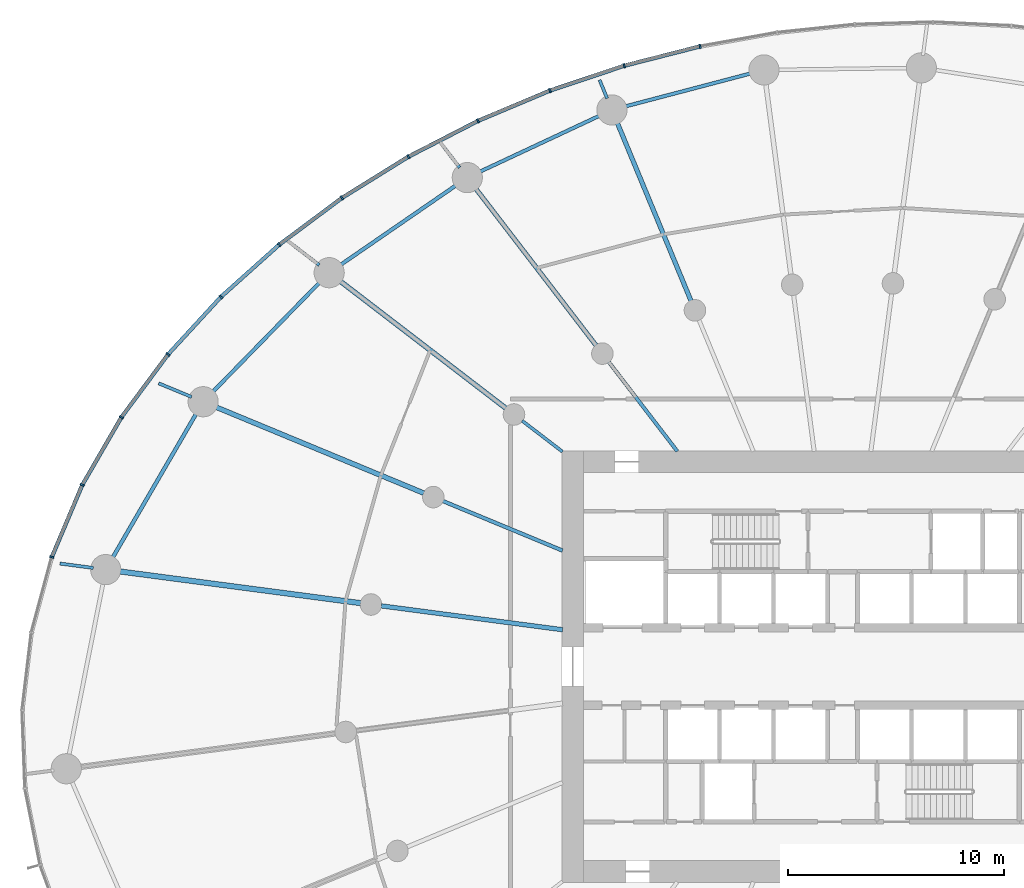
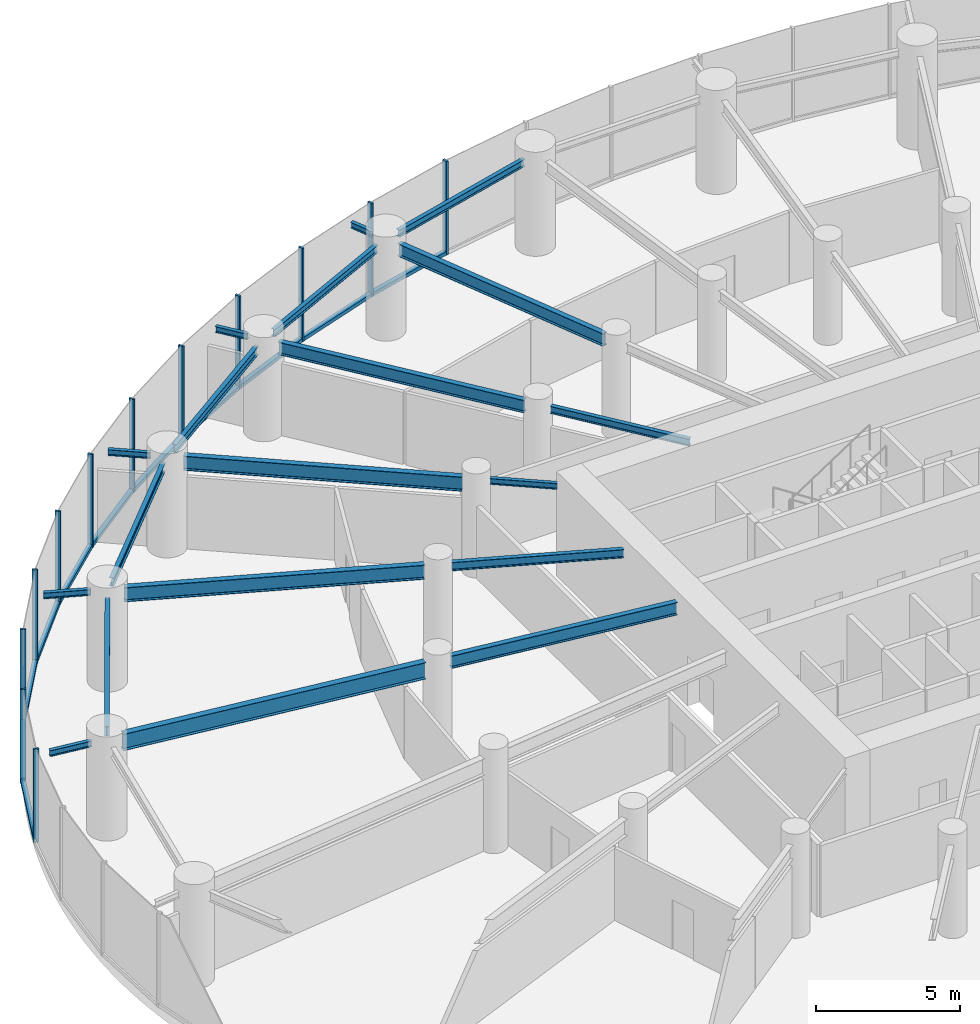
# One storey, part 6 of 19: 23 members, 19 beams, 3 elements without a shape of their own.
"""IFC4 building model written with IfcOpenShell, lengths in metres."""

from ifc_helpers import new_model, si_unit, direction, frame, origin, origin_2d, place, context, subcontext, project, spatial, rectangle, i_section, extrude, source, transform, mapped, material, layer, layer_set, material_profile, profile_set, type_object, element, aggregate, save


model = new_model("IFC4")

# Units and contexts
model_context = context("Model", 3, precision=1e-05, world=origin(), true_north=direction((0.0, 1.0)))
body_context = subcontext(model_context, "Body", "Model", "MODEL_VIEW")
ifc_project = project(units=[si_unit("LENGTHUNIT", "METRE"), si_unit("AREAUNIT", "SQUARE_METRE"), si_unit("VOLUMEUNIT", "CUBIC_METRE"), si_unit("PLANEANGLEUNIT", "RADIAN"), si_unit("MASSUNIT", "GRAM", prefix="KILO")], contexts=[model_context])

# Site, building, storey
site_placement = place(None, origin())
site = spatial("IfcSite", under=ifc_project, at=site_placement, CompositionType="ELEMENT")
building_placement = place(site_placement, origin())
building = spatial("IfcBuilding", under=site, at=building_placement, Name="Spindrift Exchange Tower", CompositionType="ELEMENT")
storey_placement = place(building_placement, frame((0.0, 0.0, 57.800048828125)))
storey = spatial("IfcBuildingStorey", under=building, at=storey_placement, Name="L13", CompositionType="ELEMENT", Elevation=57.800048828125)

# Beams
ifc_material_1 = material(Name="Steel Grade 300", Category="steel")
ifc_material_profile_1 = material_profile(ifc_material_1, i_section(OverallWidth=0.208984375, OverallDepth=0.532958984375, WebThickness=0.01025390625, FlangeThickness=0.015625, FilletRadius=0.013916015625, at=origin_2d()), Name="530UB92.4")
ifc_profile_set_1 = profile_set([ifc_material_profile_1], Name="Steel Grade 300")
beam_type_1 = type_object("IfcBeamType", Name="Floor Beam 530UB92.4 Steel Grade 300", PredefinedType="BEAM", material=ifc_profile_set_1)
shared_shape_1 = source(origin(), body_context, "Body", "SweptSolid", [
    extrude(i_section(OverallWidth=0.208984375, OverallDepth=0.532958984375, WebThickness=0.01025390625, FlangeThickness=0.015625, FilletRadius=0.013916015625, at=origin_2d()), origin(), (0.0, 0.0, 1.0), 8.99658203125),
])
beam_1_placement = place(storey_placement, frame((44.974609375, 64.9609375, 3.683349609375), z_axis=(-0.382685731718, 0.923878580085, 0.0), x_axis=(-0.923878580085, -0.382685731718, 0.0)))
element("IfcBeam", 1, at=beam_1_placement, inside=storey, type_object=beam_type_1, Name="L13 radial beam R08B", PredefinedType="BEAM", context=body_context, shape_type="MappedRepresentation", body=[
    mapped(shared_shape_1, transform((0.0, 0.0, 0.0), scale=1.0)),
])
ifc_material_profile_2 = material_profile(ifc_material_1, i_section(OverallWidth=0.1650390625, OverallDepth=0.303955078125, WebThickness=0.006103515625, FlangeThickness=0.01025390625, FilletRadius=0.011474609375, at=origin_2d()), Name="310UB40.4")
ifc_profile_set_2 = profile_set([ifc_material_profile_2], Name="Steel Grade 300")
beam_type_2 = type_object("IfcBeamType", Name="Floor Beam 310UB40.4 Steel Grade 300", PredefinedType="BEAM", material=ifc_profile_set_2)
shared_shape_2 = source(origin(), body_context, "Body", "SweptSolid", [
    extrude(i_section(OverallWidth=0.1650390625, OverallDepth=0.303955078125, WebThickness=0.006103515625, FlangeThickness=0.01025390625, FilletRadius=0.011474609375, at=origin_2d()), origin(), (0.0, 0.0, 1.0), 5.224609375),
])
beam_2_placement = place(storey_placement, frame((44.3388671875, 57.984130859375, 3.7978515625), z_axis=(-0.608741499316, 0.793368632485, 0.0), x_axis=(-0.793368632485, -0.608741499316, 0.0)))
element("IfcBeam", 2, at=beam_2_placement, inside=storey, type_object=beam_type_2, Name="L13 radial beam R09A", PredefinedType="BEAM", context=body_context, shape_type="MappedRepresentation", body=[
    mapped(shared_shape_2, transform((0.0, 0.0, 0.0), scale=1.0)),
])
shared_shape_3 = source(origin(), body_context, "Body", "SweptSolid", [
    extrude(i_section(OverallWidth=0.208984375, OverallDepth=0.532958984375, WebThickness=0.01025390625, FlangeThickness=0.015625, FilletRadius=0.013916015625, at=origin_2d()), origin(), (0.0, 0.0, 1.0), 9.227783203125),
])
beam_3_placement = place(storey_placement, frame((40.573974609375, 62.890625, 3.683349609375), z_axis=(-0.608747534474, 0.79336400175, 0.0), x_axis=(-0.79336400175, -0.608747534474, 0.0)))
element("IfcBeam", 3, at=beam_3_placement, inside=storey, type_object=beam_type_1, Name="L13 radial beam R09B", PredefinedType="BEAM", context=body_context, shape_type="MappedRepresentation", body=[
    mapped(shared_shape_3, transform((0.0, 0.0, 0.0), scale=1.0)),
])
ifc_material_profile_3 = material_profile(ifc_material_1, i_section(OverallWidth=0.14599609375, OverallDepth=0.251953125, WebThickness=0.006103515625, FlangeThickness=0.008544921875, FilletRadius=0.011962890625, at=origin_2d()), Name="250UB31.4")
ifc_profile_set_3 = profile_set([ifc_material_profile_3], Name="Steel Grade 300")
beam_type_3 = type_object("IfcBeamType", Name="Floor Beam 250UB31.4 Steel Grade 300", PredefinedType="BEAM", material=ifc_profile_set_3)
shared_shape_4 = source(origin(), body_context, "Body", "SweptSolid", [
    extrude(i_section(OverallWidth=0.14599609375, OverallDepth=0.251953125, WebThickness=0.006103515625, FlangeThickness=0.008544921875, FilletRadius=0.011962890625, at=origin_2d()), origin(), (0.0, 0.0, 1.0), 2.353759765625),
])
beam_4_placement = place(storey_placement, frame((39.015869140625, 57.963134765625, 3.823974609375), z_axis=(-0.793367573265, 0.608742879787, 0.0), x_axis=(-0.608742879787, -0.793367573265, 0.0)))
element("IfcBeam", 4, at=beam_4_placement, inside=storey, type_object=beam_type_3, Name="L13 radial beam R10A", PredefinedType="BEAM", context=body_context, shape_type="MappedRepresentation", body=[
    mapped(shared_shape_4, transform((0.0, 0.0, 0.0), scale=1.0)),
])
ifc_material_profile_4 = material_profile(ifc_material_1, i_section(OverallWidth=0.22802734375, OverallDepth=0.60693359375, WebThickness=0.01123046875, FlangeThickness=0.017333984375, FilletRadius=0.013916015625, at=origin_2d()), Name="610UB113")
ifc_profile_set_4 = profile_set([ifc_material_profile_4], Name="Steel Grade 300")
beam_type_4 = type_object("IfcBeamType", Name="Floor Beam 610UB113 Steel Grade 300", PredefinedType="BEAM", material=ifc_profile_set_4)
shared_shape_5 = source(origin(), body_context, "Body", "SweptSolid", [
    extrude(i_section(OverallWidth=0.22802734375, OverallDepth=0.60693359375, WebThickness=0.01123046875, FlangeThickness=0.017333984375, FilletRadius=0.013916015625, at=origin_2d()), origin(), (0.0, 0.0, 1.0), 9.73974609375),
])
beam_5_placement = place(storey_placement, frame((36.38671875, 59.98046875, 3.646484375), z_axis=(-0.793352119621, 0.608763019814, 0.0), x_axis=(-0.608763019814, -0.793352119621, 0.0)))
element("IfcBeam", 5, at=beam_5_placement, inside=storey, type_object=beam_type_4, Name="L13 radial beam R10B", PredefinedType="BEAM", context=body_context, shape_type="MappedRepresentation", body=[
    mapped(shared_shape_5, transform((0.0, 0.0, 0.0), scale=1.0)),
])
ifc_material_profile_5 = material_profile(ifc_material_1, i_section(OverallWidth=0.172119140625, OverallDepth=0.35888671875, WebThickness=0.008056640625, FlangeThickness=0.012939453125, FilletRadius=0.013916015625, at=origin_2d()), Name="360UB56.7")
ifc_profile_set_5 = profile_set([ifc_material_profile_5], Name="Steel Grade 300")
beam_type_5 = type_object("IfcBeamType", Name="Floor Beam 360UB56.7 Steel Grade 300", PredefinedType="BEAM", material=ifc_profile_set_5)
shared_shape_6 = source(origin(), body_context, "Body", "SweptSolid", [
    extrude(i_section(OverallWidth=0.172119140625, OverallDepth=0.35888671875, WebThickness=0.008056640625, FlangeThickness=0.012939453125, FilletRadius=0.013916015625, at=origin_2d()), origin(), (0.0, 0.0, 1.0), 6.004638671875),
])
beam_6_placement = place(storey_placement, frame((39.0185546875, 53.377197265625, 3.7705078125), z_axis=(-0.923882044911, 0.38267736684, 0.0), x_axis=(-0.38267736684, -0.923882044911, 0.0)))
element("IfcBeam", 6, at=beam_6_placement, inside=storey, type_object=beam_type_5, Name="L13 radial beam R11A", PredefinedType="BEAM", context=body_context, shape_type="MappedRepresentation", body=[
    mapped(shared_shape_6, transform((0.0, 0.0, 0.0), scale=1.0)),
])
shared_shape_7 = source(origin(), body_context, "Body", "SweptSolid", [
    extrude(i_section(OverallWidth=0.22802734375, OverallDepth=0.60693359375, WebThickness=0.01123046875, FlangeThickness=0.017333984375, FilletRadius=0.013916015625, at=origin_2d()), origin(), (0.0, 0.0, 1.0), 10.4912109375),
])
beam_7_placement = place(storey_placement, frame((32.583984375, 56.04248046875, 3.646484375), z_axis=(-0.923885231151, 0.382669674342, 0.0), x_axis=(-0.382669674342, -0.923885231151, 0.0)))
element("IfcBeam", 7, at=beam_7_placement, inside=storey, type_object=beam_type_4, Name="L13 radial beam R11B", PredefinedType="BEAM", context=body_context, shape_type="MappedRepresentation", body=[
    mapped(shared_shape_7, transform((0.0, 0.0, 0.0), scale=1.0)),
])
shared_shape_8 = source(origin(), body_context, "Body", "SweptSolid", [
    extrude(i_section(OverallWidth=0.208984375, OverallDepth=0.532958984375, WebThickness=0.01025390625, FlangeThickness=0.015625, FilletRadius=0.013916015625, at=origin_2d()), origin(), (0.0, 0.0, 1.0), 8.4794921875),
])
beam_8_placement = place(storey_placement, frame((39.019775390625, 49.708984375, 3.683349609375), z_axis=(-0.991446551951, 0.13051335037, 0.0), x_axis=(-0.13051335037, -0.991446551951, 0.0)))
element("IfcBeam", 8, at=beam_8_placement, inside=storey, type_object=beam_type_1, Name="L13 radial beam R12A", PredefinedType="BEAM", context=body_context, shape_type="MappedRepresentation", body=[
    mapped(shared_shape_8, transform((0.0, 0.0, 0.0), scale=1.0)),
])
ifc_material_profile_6 = material_profile(ifc_material_1, i_section(OverallWidth=0.25, OverallDepth=0.699951171875, WebThickness=0.008056640625, FlangeThickness=0.011962890625, at=origin_2d()), Name="700WB115")
ifc_profile_set_6 = profile_set([ifc_material_profile_6], Name="Steel Grade 300")
beam_type_6 = type_object("IfcBeamType", Name="Floor Beam 700WB115 Steel Grade 300", PredefinedType="BEAM", material=ifc_profile_set_6)
shared_shape_9 = source(origin(), body_context, "Body", "SweptSolid", [
    extrude(i_section(OverallWidth=0.25, OverallDepth=0.699951171875, WebThickness=0.008056640625, FlangeThickness=0.011962890625, at=origin_2d()), origin(), (0.0, 0.0, 1.0), 11.34423828125),
])
beam_9_placement = place(storey_placement, frame((29.660888671875, 50.94091796875, 3.599853515625), z_axis=(-0.991444770187, 0.130526884848, 0.0), x_axis=(-0.130526884848, -0.991444770187, 0.0)))
element("IfcBeam", 9, at=beam_9_placement, inside=storey, type_object=beam_type_6, Name="L13 radial beam R12B", PredefinedType="BEAM", context=body_context, shape_type="MappedRepresentation", body=[
    mapped(shared_shape_9, transform((0.0, 0.0, 0.0), scale=1.0)),
])
ifc_material_profile_7 = material_profile(ifc_material_1, i_section(OverallWidth=0.1650390625, OverallDepth=0.303955078125, WebThickness=0.006103515625, FlangeThickness=0.01025390625, FilletRadius=0.011474609375, at=origin_2d()), Name="310UB40.4")
ifc_profile_set_7 = profile_set([ifc_material_profile_7], Name="Steel Grade 300")
beam_type_7 = type_object("IfcBeamType", Name="Edge Beam 310UB40.4 Steel Grade 300", PredefinedType="SPANDREL", material=ifc_profile_set_7)
shared_shape_10 = source(origin(), body_context, "Body", "SweptSolid", [
    extrude(i_section(OverallWidth=0.1650390625, OverallDepth=0.303955078125, WebThickness=0.006103515625, FlangeThickness=0.01025390625, FilletRadius=0.011474609375, at=origin_2d()), origin(), (0.0, 0.0, 1.0), 6.128173828125),
])
beam_10_placement = place(storey_placement, frame((47.79736328125, 75.513916015625, 3.7978515625), z_axis=(-0.967147261855, -0.254216785216, 0.0), x_axis=(0.254216785216, -0.967147261855, 0.0)))
element("IfcBeam", 10, at=beam_10_placement, inside=storey, type_object=beam_type_7, Name="L13 edge beam E07", PredefinedType="SPANDREL", context=body_context, shape_type="MappedRepresentation", body=[
    mapped(shared_shape_10, transform((0.0, 0.0, 0.0), scale=1.0)),
])
shared_shape_11 = source(origin(), body_context, "Body", "SweptSolid", [
    extrude(i_section(OverallWidth=0.1650390625, OverallDepth=0.303955078125, WebThickness=0.006103515625, FlangeThickness=0.01025390625, FilletRadius=0.011474609375, at=origin_2d()), origin(), (0.0, 0.0, 1.0), 6.243408203125),
])
beam_11_placement = place(storey_placement, frame((40.7841796875, 73.56298828125, 3.7978515625), z_axis=(-0.905791146607, -0.423724437257, 0.0), x_axis=(0.423724437257, -0.905791146607, 0.0)))
element("IfcBeam", 11, at=beam_11_placement, inside=storey, type_object=beam_type_7, Name="L13 edge beam E08", PredefinedType="SPANDREL", context=body_context, shape_type="MappedRepresentation", body=[
    mapped(shared_shape_11, transform((0.0, 0.0, 0.0), scale=1.0)),
])
ifc_material_profile_8 = material_profile(ifc_material_1, i_section(OverallWidth=0.172119140625, OverallDepth=0.35888671875, WebThickness=0.008056640625, FlangeThickness=0.012939453125, FilletRadius=0.013916015625, at=origin_2d()), Name="360UB56.7")
ifc_profile_set_8 = profile_set([ifc_material_profile_8], Name="Steel Grade 300")
beam_type_8 = type_object("IfcBeamType", Name="Edge Beam 360UB56.7 Steel Grade 300", PredefinedType="SPANDREL", material=ifc_profile_set_8)
shared_shape_12 = source(origin(), body_context, "Body", "SweptSolid", [
    extrude(i_section(OverallWidth=0.172119140625, OverallDepth=0.35888671875, WebThickness=0.008056640625, FlangeThickness=0.012939453125, FilletRadius=0.013916015625, at=origin_2d()), origin(), (0.0, 0.0, 1.0), 6.614990234375),
])
beam_12_placement = place(storey_placement, frame((34.125732421875, 70.3427734375, 3.7705078125), z_axis=(-0.823690708835, -0.567039342708, 0.0), x_axis=(0.567039342708, -0.823690708835, 0.0)))
element("IfcBeam", 12, at=beam_12_placement, inside=storey, type_object=beam_type_8, Name="L13 edge beam E09", PredefinedType="SPANDREL", context=body_context, shape_type="MappedRepresentation", body=[
    mapped(shared_shape_12, transform((0.0, 0.0, 0.0), scale=1.0)),
])
shared_shape_13 = source(origin(), body_context, "Body", "SweptSolid", [
    extrude(i_section(OverallWidth=0.172119140625, OverallDepth=0.35888671875, WebThickness=0.008056640625, FlangeThickness=0.012939453125, FilletRadius=0.013916015625, at=origin_2d()), origin(), (0.0, 0.0, 1.0), 7.2041015625),
])
beam_13_placement = place(storey_placement, frame((27.794189453125, 65.847900390625, 3.7705078125), z_axis=(-0.698703626006, -0.715411240481, 0.0), x_axis=(0.715411240481, -0.698703626006, 0.0)))
element("IfcBeam", 13, at=beam_13_placement, inside=storey, type_object=beam_type_8, Name="L13 edge beam E10", PredefinedType="SPANDREL", context=body_context, shape_type="MappedRepresentation", body=[
    mapped(shared_shape_13, transform((0.0, 0.0, 0.0), scale=1.0)),
])
ifc_material_profile_9 = material_profile(ifc_material_1, i_section(OverallWidth=0.177978515625, OverallDepth=0.406005859375, WebThickness=0.0078125, FlangeThickness=0.0126953125, FilletRadius=0.013916015625, at=origin_2d()), Name="410UB59.7")
ifc_profile_set_9 = profile_set([ifc_material_profile_9], Name="Steel Grade 300")
beam_type_9 = type_object("IfcBeamType", Name="Edge Beam 410UB59.7 Steel Grade 300", PredefinedType="SPANDREL", material=ifc_profile_set_9)
shared_shape_14 = source(origin(), body_context, "Body", "SweptSolid", [
    extrude(i_section(OverallWidth=0.177978515625, OverallDepth=0.406005859375, WebThickness=0.0078125, FlangeThickness=0.0126953125, FilletRadius=0.013916015625, at=origin_2d()), origin(), (0.0, 0.0, 1.0), 7.837646484375),
])
beam_14_placement = place(storey_placement, frame((22.064208984375, 59.777587890625, 3.7470703125), z_axis=(-0.50198145655, -0.864878382942, 0.0), x_axis=(0.864878382942, -0.50198145655, 0.0)))
element("IfcBeam", 14, at=beam_14_placement, inside=storey, type_object=beam_type_9, Name="L13 edge beam E11", PredefinedType="SPANDREL", context=body_context, shape_type="MappedRepresentation", body=[
    mapped(shared_shape_14, transform((0.0, 0.0, 0.0), scale=1.0)),
])
ifc_material_profile_10 = material_profile(ifc_material_1, i_section(OverallWidth=0.14599609375, OverallDepth=0.251953125, WebThickness=0.006103515625, FlangeThickness=0.008544921875, FilletRadius=0.011962890625, at=origin_2d()), Name="250UB31.4")
ifc_profile_set_10 = profile_set([ifc_material_profile_10], Name="Steel Grade 300")
beam_type_10 = type_object("IfcBeamType", Name="Cantilever Beam 250UB31.4 Steel Grade 300", PredefinedType="BEAM", material=ifc_profile_set_10)
shared_shape_15 = source(origin(), body_context, "Body", "SweptSolid", [
    extrude(i_section(OverallWidth=0.14599609375, OverallDepth=0.251953125, WebThickness=0.006103515625, FlangeThickness=0.008544921875, FilletRadius=0.011962890625, at=origin_2d()), origin(), (0.0, 0.0, 1.0), 0.92138671875),
])
beam_15_placement = place(storey_placement, frame((41.087890625, 74.344482421875, 3.823974609375), z_axis=(-0.382921262759, 0.923780984069, 0.0), x_axis=(-0.923780984069, -0.382921262759, 0.0)))
element("IfcBeam", 15, at=beam_15_placement, inside=storey, type_object=beam_type_10, Name="L13 cantilever beam R08T", PredefinedType="BEAM", context=body_context, shape_type="MappedRepresentation", body=[
    mapped(shared_shape_15, transform((0.0, 0.0, 0.0), scale=1.0)),
])
shared_shape_16 = source(origin(), body_context, "Body", "SweptSolid", [
    extrude(i_section(OverallWidth=0.14599609375, OverallDepth=0.251953125, WebThickness=0.006103515625, FlangeThickness=0.008544921875, FilletRadius=0.011962890625, at=origin_2d()), origin(), (0.0, 0.0, 1.0), 1.209716796875),
])
beam_16_placement = place(storey_placement, frame((34.250244140625, 71.1318359375, 3.823974609375), z_axis=(-0.608617930823, 0.793463429706, 0.0), x_axis=(-0.793463429706, -0.608617930823, 0.0)))
element("IfcBeam", 16, at=beam_16_placement, inside=storey, type_object=beam_type_10, Name="L13 cantilever beam R09T", PredefinedType="BEAM", context=body_context, shape_type="MappedRepresentation", body=[
    mapped(shared_shape_16, transform((0.0, 0.0, 0.0), scale=1.0)),
])
shared_shape_17 = source(origin(), body_context, "Body", "SweptSolid", [
    extrude(i_section(OverallWidth=0.14599609375, OverallDepth=0.251953125, WebThickness=0.006103515625, FlangeThickness=0.008544921875, FilletRadius=0.011962890625, at=origin_2d()), origin(), (0.0, 0.0, 1.0), 1.48291015625),
])
beam_17_placement = place(storey_placement, frame((27.7392578125, 66.615966796875, 3.823974609375), z_axis=(-0.793333363802, 0.608787461992, 0.0), x_axis=(-0.608787461992, -0.793333363802, 0.0)))
element("IfcBeam", 17, at=beam_17_placement, inside=storey, type_object=beam_type_10, Name="L13 cantilever beam R10T", PredefinedType="BEAM", context=body_context, shape_type="MappedRepresentation", body=[
    mapped(shared_shape_17, transform((0.0, 0.0, 0.0), scale=1.0)),
])
shared_shape_18 = source(origin(), body_context, "Body", "SweptSolid", [
    extrude(i_section(OverallWidth=0.14599609375, OverallDepth=0.251953125, WebThickness=0.006103515625, FlangeThickness=0.008544921875, FilletRadius=0.011962890625, at=origin_2d()), origin(), (0.0, 0.0, 1.0), 1.65185546875),
])
beam_18_placement = place(storey_placement, frame((21.819580078125, 60.501220703125, 3.823974609375), z_axis=(-0.923892542317, 0.382652022406, 0.0), x_axis=(-0.382652022406, -0.923892542317, 0.0)))
element("IfcBeam", 18, at=beam_18_placement, inside=storey, type_object=beam_type_10, Name="L13 cantilever beam R11T", PredefinedType="BEAM", context=body_context, shape_type="MappedRepresentation", body=[
    mapped(shared_shape_18, transform((0.0, 0.0, 0.0), scale=1.0)),
])
shared_shape_19 = source(origin(), body_context, "Body", "SweptSolid", [
    extrude(i_section(OverallWidth=0.14599609375, OverallDepth=0.251953125, WebThickness=0.006103515625, FlangeThickness=0.008544921875, FilletRadius=0.011962890625, at=origin_2d()), origin(), (0.0, 0.0, 1.0), 1.5634765625),
])
beam_19_placement = place(storey_placement, frame((17.263916015625, 52.572998046875, 3.823974609375), z_axis=(-0.991442066494, 0.130547419686, 0.0), x_axis=(-0.130547419686, -0.991442066494, 0.0)))
element("IfcBeam", 19, at=beam_19_placement, inside=storey, type_object=beam_type_10, Name="L13 cantilever beam R12T", PredefinedType="BEAM", context=body_context, shape_type="MappedRepresentation", body=[
    mapped(shared_shape_19, transform((0.0, 0.0, 0.0), scale=1.0)),
])

# Curtain wall, members
ifc_material_2 = material(Name="Fritted laminated glass with bronze frame", Category="glass")
ifc_layer = layer(ifc_material_2, 0.199951171875)
ifc_layer_set = layer_set([ifc_layer], Name="ZONE 1 BRONZE FRITTED WALL")
curtain_wall_type = type_object("IfcCurtainWallType", Name="ZONE 1 BRONZE FRITTED WALL", PredefinedType="NOTDEFINED", material=ifc_layer_set)
curtain_wall_1_placement = place(storey_placement, origin())
curtain_wall_1 = element("IfcCurtainWall", 20, at=curtain_wall_1_placement, inside=storey, type_object=curtain_wall_type, Name="L13 Zone 1 Bronze Fritted Wall run 3", PredefinedType="NOTDEFINED")
ifc_material_3 = material(Name="Bronze anodised aluminium", Category="aluminium")
ifc_material_profile_11 = material_profile(ifc_material_3, rectangle(XDim=0.080078125, YDim=0.199951171875, at=origin_2d()), Name="ZONE 1 BRONZE FRITTED WALL MULLION 80X200")
ifc_profile_set_11 = profile_set([ifc_material_profile_11], Name="Bronze anodised aluminium")
member_type_1 = type_object("IfcMemberType", Name="ZONE 1 BRONZE FRITTED WALL MULLION 80X200", PredefinedType="MULLION", material=ifc_profile_set_11)
shared_shape_20 = source(origin(), body_context, "Body", "SweptSolid", [
    extrude(rectangle(XDim=0.080078125, YDim=0.199951171875, at=origin_2d()), origin(), (0.0, 0.0, 1.0), 3.949951171875),
])
member_1_placement = place(storey_placement, frame((45.394287109375, 76.756591796875, 0.0), z_axis=(0.0, 0.0, 1.0), x_axis=(-0.977341283568, -0.211669590242, 0.0)))
member_1 = element("IfcMember", 21, at=member_1_placement, type_object=member_type_1, Name="L13 mullion CW-1.16", PredefinedType="MULLION", context=body_context, shape_type="MappedRepresentation", body=[
    mapped(shared_shape_20, transform((0.0, 0.0, 0.0), scale=1.0)),
])
member_2_placement = place(storey_placement, frame((41.87939453125, 75.8603515625, 0.0), z_axis=(0.0, 0.0, 1.0), x_axis=(-0.959254929578, -0.282541997021, 0.0)))
member_2 = element("IfcMember", 22, at=member_2_placement, type_object=member_type_1, Name="L13 mullion CW-1.17", PredefinedType="MULLION", context=body_context, shape_type="MappedRepresentation", body=[
    mapped(shared_shape_20, transform((0.0, 0.0, 0.0), scale=1.0)),
])
member_3_placement = place(storey_placement, frame((38.439697265625, 74.708251953125, 0.0), z_axis=(0.0, 0.0, 1.0), x_axis=(-0.935676106826, -0.352860061661, 0.0)))
member_3 = element("IfcMember", 23, at=member_3_placement, type_object=member_type_1, Name="L13 mullion CW-1.18", PredefinedType="MULLION", context=body_context, shape_type="MappedRepresentation", body=[
    mapped(shared_shape_20, transform((0.0, 0.0, 0.0), scale=1.0)),
])

curtain_wall_2_placement = place(storey_placement, origin())
curtain_wall_2 = element("IfcCurtainWall", 24, at=curtain_wall_2_placement, inside=storey, type_object=curtain_wall_type, Name="L13 Zone 1 Bronze Fritted Wall run 4", PredefinedType="NOTDEFINED")
member_4_placement = place(storey_placement, frame((35.095947265625, 73.30224609375, 0.0), z_axis=(0.0, 0.0, 1.0), x_axis=(-0.906163771472, -0.422926966829, 0.0)))
member_4 = element("IfcMember", 25, at=member_4_placement, type_object=member_type_1, Name="L13 mullion CW-1.19", PredefinedType="MULLION", context=body_context, shape_type="MappedRepresentation", body=[
    mapped(shared_shape_20, transform((0.0, 0.0, 0.0), scale=1.0)),
])
member_5_placement = place(storey_placement, frame((31.87060546875, 71.642333984375, 0.0), z_axis=(0.0, 0.0, 1.0), x_axis=(-0.870051201719, -0.49296136399, 0.0)))
member_5 = element("IfcMember", 26, at=member_5_placement, type_object=member_type_1, Name="L13 mullion CW-1.20", PredefinedType="MULLION", context=body_context, shape_type="MappedRepresentation", body=[
    mapped(shared_shape_20, transform((0.0, 0.0, 0.0), scale=1.0)),
])
member_6_placement = place(storey_placement, frame((28.789306640625, 69.72900390625, 0.0), z_axis=(0.0, 0.0, 1.0), x_axis=(-0.826424992714, -0.563046828796, 0.0)))
member_6 = element("IfcMember", 27, at=member_6_placement, type_object=member_type_1, Name="L13 mullion CW-1.21", PredefinedType="MULLION", context=body_context, shape_type="MappedRepresentation", body=[
    mapped(shared_shape_20, transform((0.0, 0.0, 0.0), scale=1.0)),
])
member_7_placement = place(storey_placement, frame((25.881103515625, 67.5615234375, 0.0), z_axis=(0.0, 0.0, 1.0), x_axis=(-0.774103676799, -0.633058842104, 0.0)))
member_7 = element("IfcMember", 28, at=member_7_placement, type_object=member_type_1, Name="L13 mullion CW-1.22", PredefinedType="MULLION", context=body_context, shape_type="MappedRepresentation", body=[
    mapped(shared_shape_20, transform((0.0, 0.0, 0.0), scale=1.0)),
])
member_8_placement = place(storey_placement, frame((23.1796875, 65.141357421875, 0.0), z_axis=(0.0, 0.0, 1.0), x_axis=(-0.711625406258, -0.702559094431, 0.0)))
member_8 = element("IfcMember", 29, at=member_8_placement, type_object=member_type_1, Name="L13 mullion CW-1.23", PredefinedType="MULLION", context=body_context, shape_type="MappedRepresentation", body=[
    mapped(shared_shape_20, transform((0.0, 0.0, 0.0), scale=1.0)),
])
member_9_placement = place(storey_placement, frame((20.72509765625, 62.471435546875, 0.0), z_axis=(0.0, 0.0, 1.0), x_axis=(-0.637262683662, -0.770646658341, 0.0)))
member_9 = element("IfcMember", 30, at=member_9_placement, type_object=member_type_1, Name="L13 mullion CW-1.24", PredefinedType="MULLION", context=body_context, shape_type="MappedRepresentation", body=[
    mapped(shared_shape_20, transform((0.0, 0.0, 0.0), scale=1.0)),
])

curtain_wall_3_placement = place(storey_placement, origin())
curtain_wall_3 = element("IfcCurtainWall", 31, at=curtain_wall_3_placement, inside=storey, type_object=curtain_wall_type, Name="L13 Zone 1 Bronze Fritted Wall run 5", PredefinedType="NOTDEFINED")
member_10_placement = place(storey_placement, frame((18.56396484375, 59.5595703125, 0.0), z_axis=(0.0, 0.0, 1.0), x_axis=(-0.549162124864, -0.835715837241, 0.0)))
member_10 = element("IfcMember", 32, at=member_10_placement, type_object=member_type_1, Name="L13 mullion CW-1.25", PredefinedType="MULLION", context=body_context, shape_type="MappedRepresentation", body=[
    mapped(shared_shape_20, transform((0.0, 0.0, 0.0), scale=1.0)),
])
member_11_placement = place(storey_placement, frame((16.748779296875, 56.42041015625, 0.0), z_axis=(0.0, 0.0, 1.0), x_axis=(-0.445640486321, -0.895212017877, 0.0)))
member_11 = element("IfcMember", 33, at=member_11_placement, type_object=member_type_1, Name="L13 mullion CW-1.26", PredefinedType="MULLION", context=body_context, shape_type="MappedRepresentation", body=[
    mapped(shared_shape_20, transform((0.0, 0.0, 0.0), scale=1.0)),
])
member_12_placement = place(storey_placement, frame((15.33837890625, 53.080322265625, 0.0), z_axis=(0.0, 0.0, 1.0), x_axis=(-0.325699800203, -0.945473236082, 0.0)))
member_12 = element("IfcMember", 34, at=member_12_placement, type_object=member_type_1, Name="L13 mullion CW-1.27", PredefinedType="MULLION", context=body_context, shape_type="MappedRepresentation", body=[
    mapped(shared_shape_20, transform((0.0, 0.0, 0.0), scale=1.0)),
])
ifc_material_profile_12 = material_profile(ifc_material_3, rectangle(XDim=0.179931640625, YDim=0.14990234375, at=origin_2d()), Name="ZONE 1 BRONZE FRITTED WALL TRANSOM 180X150")
ifc_profile_set_12 = profile_set([ifc_material_profile_12], Name="Bronze anodised aluminium")
member_type_2 = type_object("IfcMemberType", Name="ZONE 1 BRONZE FRITTED WALL TRANSOM 180X150", PredefinedType="USERDEFINED", material=ifc_profile_set_12)
shared_shape_21 = source(origin(), body_context, "Body", "SweptSolid", [
    extrude(rectangle(XDim=0.179931640625, YDim=0.14990234375, at=origin_2d()), origin(), (0.0, 0.0, 1.0), 3.545654296875),
])
member_13_placement = place(storey_placement, frame((16.7333984375, 56.383544921875, 0.074951171875), z_axis=(-0.389035668633, -0.921222692149, 0.0), x_axis=(0.921222692149, -0.389035668633, 0.0)))
member_13 = element("IfcMember", 35, at=member_13_placement, type_object=member_type_2, Name="L13 transom CW-1.26", ObjectType="TRANSOM", PredefinedType="USERDEFINED", context=body_context, shape_type="MappedRepresentation", body=[
    mapped(shared_shape_21, transform((0.0, 0.0, 0.0), scale=1.0)),
])

# Member
shared_shape_22 = source(origin(), body_context, "Body", "SweptSolid", [
    extrude(rectangle(XDim=0.179931640625, YDim=0.14990234375, at=origin_2d()), origin(), (0.0, 0.0, 1.0), 3.546875),
])
member_14_placement = place(storey_placement, frame((25.851318359375, 67.534912109375, 0.074951171875), z_axis=(-0.744828921553, -0.66725548152, 0.0), x_axis=(0.66725548152, -0.744828921553, 0.0)))
member_14 = element("IfcMember", 36, at=member_14_placement, type_object=member_type_2, Name="L13 transom CW-1.22", ObjectType="TRANSOM", PredefinedType="USERDEFINED", context=body_context, shape_type="MappedRepresentation", body=[
    mapped(shared_shape_22, transform((0.0, 0.0, 0.0), scale=1.0)),
])

member_15_placement = place(storey_placement, frame((23.152587890625, 65.112060546875, 0.074951171875), z_axis=(-0.676780608492, -0.736184764831, 0.0), x_axis=(0.736184764831, -0.676780608492, 0.0)))
member_15 = element("IfcMember", 37, at=member_15_placement, type_object=member_type_2, Name="L13 transom CW-1.23", ObjectType="TRANSOM", PredefinedType="USERDEFINED", context=body_context, shape_type="MappedRepresentation", body=[
    mapped(shared_shape_22, transform((0.0, 0.0, 0.0), scale=1.0)),
])

shared_shape_23 = source(origin(), body_context, "Body", "SweptSolid", [
    extrude(rectangle(XDim=0.179931640625, YDim=0.14990234375, at=origin_2d()), origin(), (0.0, 0.0, 1.0), 3.54736328125),
])
member_16_placement = place(storey_placement, frame((41.84130859375, 75.84765625, 0.074951171875), z_axis=(-0.948221186173, -0.317610739889, 0.0), x_axis=(0.317610739889, -0.948221186173, 0.0)))
member_16 = element("IfcMember", 38, at=member_16_placement, type_object=member_type_2, Name="L13 transom CW-1.17", ObjectType="TRANSOM", PredefinedType="USERDEFINED", context=body_context, shape_type="MappedRepresentation", body=[
    mapped(shared_shape_23, transform((0.0, 0.0, 0.0), scale=1.0)),
])

member_17_placement = place(storey_placement, frame((38.40283203125, 74.69287109375, 0.074951171875), z_axis=(-0.921797228197, -0.387672374678, 0.0), x_axis=(0.387672374678, -0.921797228197, 0.0)))
member_17 = element("IfcMember", 39, at=member_17_placement, type_object=member_type_2, Name="L13 transom CW-1.18", ObjectType="TRANSOM", PredefinedType="USERDEFINED", context=body_context, shape_type="MappedRepresentation", body=[
    mapped(shared_shape_23, transform((0.0, 0.0, 0.0), scale=1.0)),
])

shared_shape_24 = source(origin(), body_context, "Body", "SweptSolid", [
    extrude(rectangle(XDim=0.179931640625, YDim=0.14990234375, at=origin_2d()), origin(), (0.0, 0.0, 1.0), 3.547119140625),
])
member_18_placement = place(storey_placement, frame((31.836669921875, 71.621337890625, 0.074951171875), z_axis=(-0.849522106461, -0.527553021633, 0.0), x_axis=(0.527553021633, -0.849522106461, 0.0)))
member_18 = element("IfcMember", 40, at=member_18_placement, type_object=member_type_2, Name="L13 transom CW-1.20", ObjectType="TRANSOM", PredefinedType="USERDEFINED", context=body_context, shape_type="MappedRepresentation", body=[
    mapped(shared_shape_24, transform((0.0, 0.0, 0.0), scale=1.0)),
])

member_19_placement = place(storey_placement, frame((28.75732421875, 69.705078125, 0.074951171875), z_axis=(-0.801829805009, -0.597552477862, 0.0), x_axis=(0.597552477862, -0.801829805009, 0.0)))
member_19 = element("IfcMember", 41, at=member_19_placement, type_object=member_type_2, Name="L13 transom CW-1.21", ObjectType="TRANSOM", PredefinedType="USERDEFINED", context=body_context, shape_type="MappedRepresentation", body=[
    mapped(shared_shape_24, transform((0.0, 0.0, 0.0), scale=1.0)),
])

shared_shape_25 = source(origin(), body_context, "Body", "SweptSolid", [
    extrude(rectangle(XDim=0.179931640625, YDim=0.14990234375, at=origin_2d()), origin(), (0.0, 0.0, 1.0), 3.546630859375),
])
member_20_placement = place(storey_placement, frame((20.701416015625, 62.439453125, 0.074951171875), z_axis=(-0.59599442949, -0.802988567799, 0.0), x_axis=(0.802988567799, -0.59599442949, 0.0)))
member_20 = element("IfcMember", 42, at=member_20_placement, type_object=member_type_2, Name="L13 transom CW-1.24", ObjectType="TRANSOM", PredefinedType="USERDEFINED", context=body_context, shape_type="MappedRepresentation", body=[
    mapped(shared_shape_25, transform((0.0, 0.0, 0.0), scale=1.0)),
])

shared_shape_26 = source(origin(), body_context, "Body", "SweptSolid", [
    extrude(rectangle(XDim=0.179931640625, YDim=0.14990234375, at=origin_2d()), origin(), (0.0, 0.0, 1.0), 3.547607421875),
])
member_21_placement = place(storey_placement, frame((45.35546875, 76.746826171875, 0.074951171875), z_axis=(-0.968981905824, -0.247131677828, 0.0), x_axis=(0.247131677828, -0.968981905824, 0.0)))
member_21 = element("IfcMember", 43, at=member_21_placement, type_object=member_type_2, Name="L13 transom CW-1.16", ObjectType="TRANSOM", PredefinedType="USERDEFINED", context=body_context, shape_type="MappedRepresentation", body=[
    mapped(shared_shape_26, transform((0.0, 0.0, 0.0), scale=1.0)),
])

aggregate(curtain_wall_1, [member_1, member_21, member_2, member_16, member_3, member_17])

member_22_placement = place(storey_placement, frame((35.060546875, 73.283935546875, 0.074951171875), z_axis=(-0.889163812371, -0.457589023874, 0.0), x_axis=(0.457589023874, -0.889163812371, 0.0)))
member_22 = element("IfcMember", 44, at=member_22_placement, type_object=member_type_2, Name="L13 transom CW-1.19", ObjectType="TRANSOM", PredefinedType="USERDEFINED", context=body_context, shape_type="MappedRepresentation", body=[
    mapped(shared_shape_26, transform((0.0, 0.0, 0.0), scale=1.0)),
])

aggregate(curtain_wall_2, [member_4, member_22, member_5, member_18, member_6, member_19, member_7, member_14, member_8, member_15, member_9, member_20])

shared_shape_27 = source(origin(), body_context, "Body", "SweptSolid", [
    extrude(rectangle(XDim=0.179931640625, YDim=0.14990234375, at=origin_2d()), origin(), (0.0, 0.0, 1.0), 3.5458984375),
])
member_23_placement = place(storey_placement, frame((18.5439453125, 59.52490234375, 0.074951171875), z_axis=(-0.500536813046, -0.865715252716, 0.0), x_axis=(0.865715252716, -0.500536813046, 0.0)))
member_23 = element("IfcMember", 45, at=member_23_placement, type_object=member_type_2, Name="L13 transom CW-1.25", ObjectType="TRANSOM", PredefinedType="USERDEFINED", context=body_context, shape_type="MappedRepresentation", body=[
    mapped(shared_shape_27, transform((0.0, 0.0, 0.0), scale=1.0)),
])

aggregate(curtain_wall_3, [member_10, member_23, member_11, member_13, member_12])

save(model, "model.ifc")
